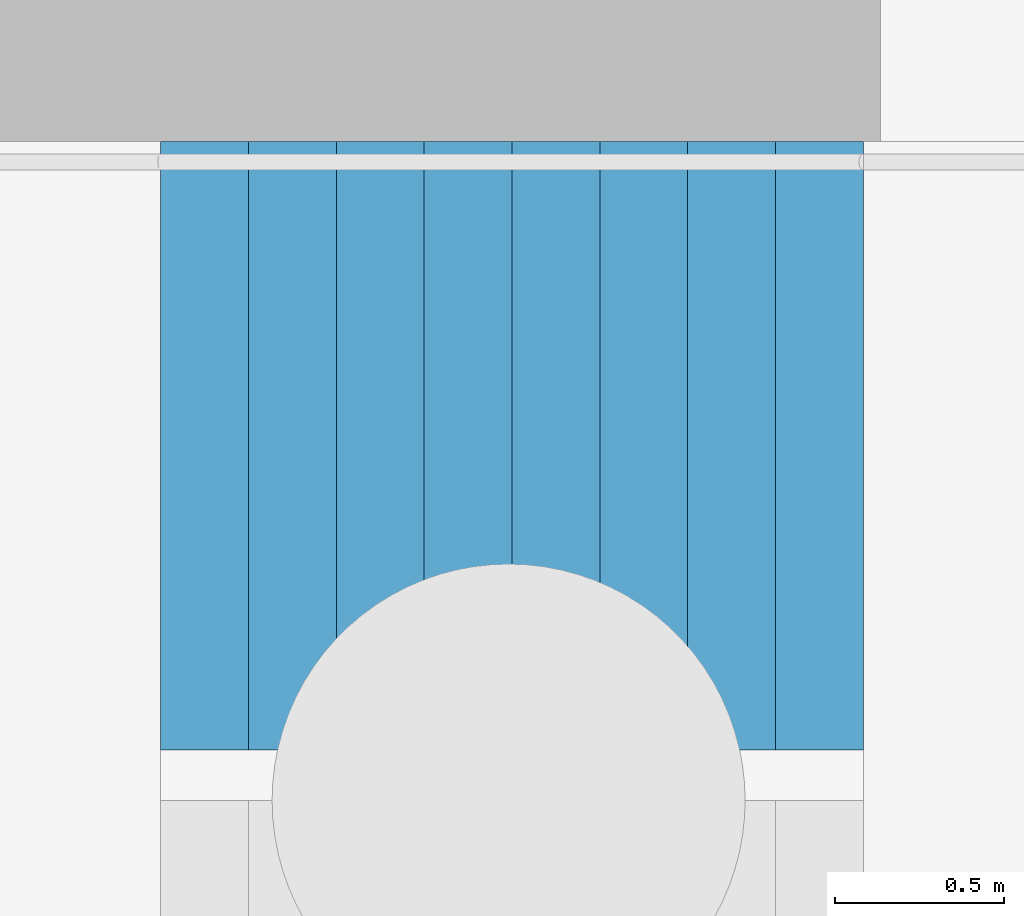
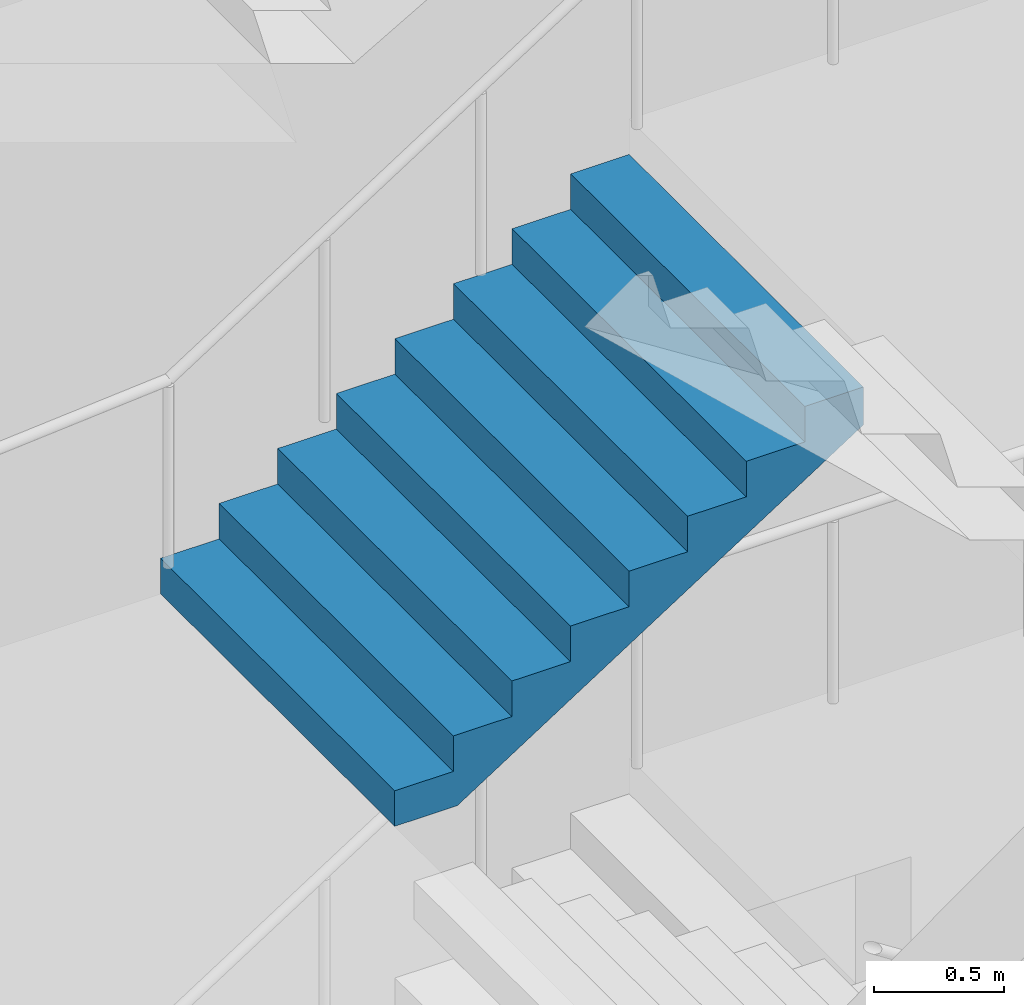
# One storey, part 82 of 113: 1 stair flight, 1 element without a shape of its own.
"""IFC4 building model written with IfcOpenShell, lengths in metres."""

import ifcopenshell
import ifcopenshell.guid

model = None  # the IFC model being written
_history = None  # IfcOwnerHistory: only IFC2X3 demands one
_inside = {}  # id of a spatial element -> (the spatial element, [elements in it])
_under = {}  # id of a project, library or spatial element -> (it, [spatial elements below it])
_declared = {}  # id of a project -> (the project, [libraries it declares])
_typed = {}  # id of a type object -> (the type object, [elements of that type])
_made_of = {}  # id of a material, layer set ... -> (it, [elements and type objects made of it])


def new_model(schema):
    """Start an empty IFC model of exactly this schema.

    Asked for "IFC4X3", IfcOpenShell would pick the latest addendum, in which some entities
    have other attributes; the version numbers below select the first issue.
    IFC2X3 requires an IfcOwnerHistory on every rooted entity: one is made here for all.
    """
    global model, _history
    if schema == "IFC4X3":
        model = ifcopenshell.file(schema_version=(4, 3, 0, 0))
    else:
        model = ifcopenshell.file(schema=schema)
    _inside.clear()
    _under.clear()
    _declared.clear()
    _typed.clear()
    _made_of.clear()
    _history = None
    if model.schema == "IFC2X3":
        org = make("IfcOrganization", Name="unknown")
        user = make(
            "IfcPersonAndOrganization",
            ThePerson=make("IfcPerson", FamilyName="unknown"),
            TheOrganization=org,
        )
        app = make(
            "IfcApplication",
            ApplicationDeveloper=org,
            Version="unknown",
            ApplicationFullName="unknown",
            ApplicationIdentifier="unknown",
        )
        _history = make(
            "IfcOwnerHistory",
            OwningUser=user,
            OwningApplication=app,
            ChangeAction="ADDED",
            CreationDate=0,
        )
    return model


def make(cls, **values):
    """One entity of the class cls with the attributes given. An attribute that is None is left unset."""
    return model.create_entity(
        cls, **{name: value for name, value in values.items() if value is not None}
    )


def rooted(cls, **values):
    """An entity with a GlobalId (a new one), such as an element, a storey or a relation."""
    return make(cls, GlobalId=ifcopenshell.guid.new(), OwnerHistory=_history, **values)


def si_unit(unit_type, name, prefix=None):
    """IfcSIUnit, for example si_unit("LENGTHUNIT", "METRE", prefix="MILLI")."""
    return make("IfcSIUnit", UnitType=unit_type, Prefix=prefix, Name=name)


def assignment(units):
    """IfcUnitAssignment: the units of a project."""
    return None if units is None else make("IfcUnitAssignment", Units=units)


def point(xyz):
    """IfcCartesianPoint."""
    return None if xyz is None else make("IfcCartesianPoint", Coordinates=xyz)


def direction(xyz):
    """IfcDirection."""
    return None if xyz is None else make("IfcDirection", DirectionRatios=xyz)


def frame(location, z_axis=None, x_axis=None):
    """IfcAxis2Placement3D, a coordinate frame: its origin and axes. An axis left out is left unset."""
    return make(
        "IfcAxis2Placement3D",
        Location=point(location),
        Axis=direction(z_axis),
        RefDirection=direction(x_axis),
    )


def origin():
    """The frame at (0, 0, 0) with its axes left unset."""
    return frame((0.0, 0.0, 0.0))


def place(relative_to, where):
    """IfcLocalPlacement: puts the frame where relative to a parent placement (None: the world)."""
    return make(
        "IfcLocalPlacement", PlacementRelTo=relative_to, RelativePlacement=where
    )


def context(
    kind, dimensions, precision=None, world=None, true_north=None, identifier=None
):
    """IfcGeometricRepresentationContext, for example the 3D "Model" context."""
    return make(
        "IfcGeometricRepresentationContext",
        ContextIdentifier=identifier,
        ContextType=kind,
        CoordinateSpaceDimension=dimensions,
        Precision=precision,
        WorldCoordinateSystem=world,
        TrueNorth=true_north,
    )


def subcontext(parent, identifier, kind, view, scale=None):
    """IfcGeometricRepresentationSubContext, for example "Body" below "Model"."""
    return make(
        "IfcGeometricRepresentationSubContext",
        ContextIdentifier=identifier,
        ContextType=kind,
        ParentContext=parent,
        TargetScale=scale,
        TargetView=view,
    )


def project(units=None, contexts=None):
    """IfcProject with its units and contexts."""
    return rooted(
        "IfcProject",
        Name="project",
        RepresentationContexts=contexts,
        UnitsInContext=assignment(units),
    )


def spatial(cls, under=None, at=None, **own):
    """A site, building, storey or space (cls), placed at a placement, below another one or the project."""
    s = rooted(cls, ObjectPlacement=at, **own)
    if under is not None:
        _under.setdefault(under.id(), (under, []))[1].append(s)
    return s


def point_list(points):
    """IfcCartesianPointList2D or 3D."""
    cls = (
        "IfcCartesianPointList2D" if len(points[0]) == 2 else "IfcCartesianPointList3D"
    )
    return make(cls, CoordList=points)


def triangles(points, corners, closed=None, point_numbers=None):
    """IfcTriangulatedFaceSet: each triangle names its three corners, points numbered from 1."""
    return make(
        "IfcTriangulatedFaceSet",
        Coordinates=point_list(points),
        Closed=closed,
        CoordIndex=corners,
        PnIndex=point_numbers,
    )


def shape(context_of_items, identifier, shape_type, items):
    """IfcShapeRepresentation: the items that make up one representation, for example the "Body"."""
    return make(
        "IfcShapeRepresentation",
        ContextOfItems=context_of_items,
        RepresentationIdentifier=identifier,
        RepresentationType=shape_type,
        Items=items,
    )


def material(Name=None, Category=None):
    """IfcMaterial."""
    return make("IfcMaterial", Name=Name, Category=Category)


def made_of(thing, what):
    """Note that an element or type object is made of a material, layer set ...; save() writes the relation."""
    if what is not None:
        _made_of.setdefault(what.id(), (what, []))[1].append(thing)
    return thing


def type_object(cls, material=None, **own):
    """A type object (cls), such as IfcWallType, which elements share."""
    return made_of(rooted(cls, **own), material)


def element(
    cls,
    number,
    at=None,
    inside=None,
    cuts=None,
    type_object=None,
    material=None,
    context=None,
    identifier="Body",
    shape_type=None,
    held_by="IfcProductDefinitionShape",
    body=None,
    shapes=None,
    **own,
):
    """One element of the class cls, such as IfcWall. Its Tag is "e" and its number.

    at: its placement. inside: the storey or other place that contains it. cuts: it is an
    opening in that element (IfcRelVoidsElement). A single representation is given by context,
    identifier, shape_type and body (its items); several are given by shapes. held_by: the class
    of the entity that holds the representations. save() writes the other relations.
    """
    e = rooted(cls, Tag="e%d" % number, ObjectPlacement=at, **own)
    if body is not None:
        shapes = [shape(context, identifier, shape_type, body)]
    if shapes is not None:
        e.Representation = make(held_by, Representations=shapes)
    if inside is not None:
        _inside.setdefault(inside.id(), (inside, []))[1].append(e)
    if cuts is not None:
        rooted(
            "IfcRelVoidsElement", RelatingBuildingElement=cuts, RelatedOpeningElement=e
        )
    if type_object is not None:
        _typed.setdefault(type_object.id(), (type_object, []))[1].append(e)
    return made_of(e, material)


def aggregate(whole, parts):
    """IfcRelAggregates: a whole, such as a stair, and the parts it consists of."""
    return rooted("IfcRelAggregates", RelatingObject=whole, RelatedObjects=parts)


def save(model, path):
    """Write the relations noted so far, then the file.

    IfcRelAggregates (storeys below a building ...), IfcRelContainedInSpatialStructure (elements
    in a storey), IfcRelDefinesByType, IfcRelAssociatesMaterial and IfcRelDeclares: one each for
    every whole, place, type object, material and project.
    """
    for whole, parts in _under.values():
        aggregate(whole, parts)
    for where, things in _inside.values():
        rooted(
            "IfcRelContainedInSpatialStructure",
            RelatedElements=things,
            RelatingStructure=where,
        )
    for kind, things in _typed.values():
        rooted("IfcRelDefinesByType", RelatedObjects=things, RelatingType=kind)
    for what, things in _made_of.values():
        rooted("IfcRelAssociatesMaterial", RelatedObjects=things, RelatingMaterial=what)
    for by, libraries in _declared.values():
        rooted("IfcRelDeclares", RelatingContext=by, RelatedDefinitions=libraries)
    model.write(path)


model = new_model("IFC4")

# Units and contexts
model_context = context("Model", 3, precision=1e-05, world=origin(), true_north=direction((0.0, 1.0)))
body_context = subcontext(model_context, "Body", "Model", "MODEL_VIEW")
ifc_project = project(units=[si_unit("LENGTHUNIT", "METRE"), si_unit("AREAUNIT", "SQUARE_METRE"), si_unit("VOLUMEUNIT", "CUBIC_METRE"), si_unit("PLANEANGLEUNIT", "RADIAN"), si_unit("MASSUNIT", "GRAM", prefix="KILO")], contexts=[model_context])

# Site, building, storey
site_placement = place(None, origin())
site = spatial("IfcSite", under=ifc_project, at=site_placement, CompositionType="ELEMENT")
building_placement = place(site_placement, origin())
building = spatial("IfcBuilding", under=site, at=building_placement, Name="Hakoniwa Tower and Hamabe Station Hall", CompositionType="ELEMENT")
storey_placement = place(building_placement, origin())
storey = spatial("IfcBuildingStorey", under=building, at=storey_placement, Name="L01", CompositionType="ELEMENT", Elevation=0.0)

# Stair, stair flight
ifc_material_1 = material(Name="Concrete C40", Category="concrete")
stair_type = type_object("IfcStairType", Name="ESCAPE STAIR 1800", PredefinedType="HALF_TURN_STAIR", material=ifc_material_1)
stair_placement = place(storey_placement, origin())
stair = element("IfcStair", 1, at=stair_placement, inside=storey, type_object=stair_type, Name="Escape stair ST-3 L01", PredefinedType="HALF_TURN_STAIR")
ifc_material_2 = material(Name="Concrete C40", Category="concrete")
stair_flight_type = type_object("IfcStairFlightType", Name="STAIR FLIGHT 1800", PredefinedType="STRAIGHT", material=ifc_material_2)
stair_flight_placement = place(storey_placement, frame((22.320068359375, 6.60009765625, 4.5), z_axis=(0.0, 0.0, 1.0), x_axis=(1.0, 0.0, 0.0)))
stair_flight = element("IfcStairFlight", 2, at=stair_flight_placement, type_object=stair_flight_type, Name="ST-3 flight 4", NumberOfRisers=9, NumberOfTreads=8, PredefinedType="STRAIGHT", RiserHeight=0.166666667, TreadLength=0.26, context=body_context, shape_type="Tessellation", body=[
    triangles([(0.0, 0.89990234375, 0.0), (0.260009765625, 0.89990234375, 0.0), (0.27783203125, 0.89990234375, 0.0), (0.52001953125, 0.89990234375, 0.1552734375), (0.780029296875, 0.89990234375, 0.322021484375), (1.0400390625, 0.89990234375, 0.488525390625), (1.300048828125, 0.89990234375, 0.6552734375), (1.56005859375, 0.89990234375, 0.822021484375), (1.820068359375, 0.89990234375, 0.988525390625), (2.080078125, 0.89990234375, 1.1552734375), (2.080078125, 0.89990234375, 1.333251953125), (1.820068359375, 0.89990234375, 1.333251953125), (1.820068359375, 0.89990234375, 1.166748046875), (1.56005859375, 0.89990234375, 1.166748046875), (1.56005859375, 0.89990234375, 1.0), (1.300048828125, 0.89990234375, 1.0), (1.300048828125, 0.89990234375, 0.833251953125), (1.0400390625, 0.89990234375, 0.833251953125), (1.0400390625, 0.89990234375, 0.666748046875), (0.780029296875, 0.89990234375, 0.666748046875), (0.780029296875, 0.89990234375, 0.5), (0.52001953125, 0.89990234375, 0.5), (0.52001953125, 0.89990234375, 0.333251953125), (0.27783203125, 0.89990234375, 0.333251953125), (0.260009765625, 0.89990234375, 0.333251953125), (0.260009765625, 0.89990234375, 0.166748046875), (0.0, 0.89990234375, 0.166748046875), (0.0, 0.06005859375, 0.0), (0.260009765625, 0.06005859375, 0.0), (0.27783203125, 0.06005859375, 0.0), (0.52001953125, 0.06005859375, 0.1552734375), (0.780029296875, 0.06005859375, 0.322021484375), (1.0400390625, 0.06005859375, 0.488525390625), (1.300048828125, 0.06005859375, 0.6552734375), (1.56005859375, 0.06005859375, 0.822021484375), (1.820068359375, 0.06005859375, 0.988525390625), (2.080078125, 0.06005859375, 1.1552734375), (2.080078125, 0.06005859375, 1.333251953125), (1.820068359375, 0.06005859375, 1.333251953125), (1.820068359375, 0.06005859375, 1.166748046875), (1.56005859375, 0.06005859375, 1.166748046875), (1.56005859375, 0.06005859375, 1.0), (1.300048828125, 0.06005859375, 1.0), (1.300048828125, 0.06005859375, 0.833251953125), (1.0400390625, 0.06005859375, 0.833251953125), (1.0400390625, 0.06005859375, 0.666748046875), (0.780029296875, 0.06005859375, 0.666748046875), (0.780029296875, 0.06005859375, 0.5), (0.52001953125, 0.06005859375, 0.5), (0.52001953125, 0.06005859375, 0.333251953125), (0.27783203125, 0.06005859375, 0.333251953125), (0.260009765625, 0.06005859375, 0.333251953125), (0.260009765625, 0.06005859375, 0.166748046875), (0.0, 0.06005859375, 0.166748046875), (0.0, 0.04296875, 0.0), (0.260009765625, 0.04296875, 0.0), (0.27783203125, 0.04296875, 0.0), (0.52001953125, 0.04296875, 0.1552734375), (0.780029296875, 0.04296875, 0.322021484375), (1.0400390625, 0.04296875, 0.488525390625), (1.300048828125, 0.04296875, 0.6552734375), (1.56005859375, 0.04296875, 0.822021484375), (1.820068359375, 0.04296875, 0.988525390625), (2.080078125, 0.04296875, 1.1552734375), (2.080078125, 0.04296875, 1.333251953125), (1.820068359375, 0.04296875, 1.333251953125), (1.820068359375, 0.04296875, 1.166748046875), (1.56005859375, 0.04296875, 1.166748046875), (1.56005859375, 0.04296875, 1.0), (1.300048828125, 0.04296875, 1.0), (1.300048828125, 0.04296875, 0.833251953125), (1.0400390625, 0.04296875, 0.833251953125), (1.0400390625, 0.04296875, 0.666748046875), (0.780029296875, 0.04296875, 0.666748046875), (0.780029296875, 0.04296875, 0.5), (0.52001953125, 0.04296875, 0.5), (0.52001953125, 0.04296875, 0.333251953125), (0.27783203125, 0.04296875, 0.333251953125), (0.260009765625, 0.04296875, 0.333251953125), (0.260009765625, 0.04296875, 0.166748046875), (0.0, 0.04296875, 0.166748046875), (0.0, 0.025634765625, 0.0), (0.260009765625, 0.025634765625, 0.0), (0.27783203125, 0.025634765625, 0.0), (0.52001953125, 0.025634765625, 0.1552734375), (0.780029296875, 0.025634765625, 0.322021484375), (1.0400390625, 0.025634765625, 0.488525390625), (1.300048828125, 0.025634765625, 0.6552734375), (1.56005859375, 0.025634765625, 0.822021484375), (1.820068359375, 0.025634765625, 0.988525390625), (2.080078125, 0.025634765625, 1.1552734375), (2.080078125, 0.025634765625, 1.333251953125), (1.820068359375, 0.025634765625, 1.333251953125), (1.820068359375, 0.025634765625, 1.166748046875), (1.56005859375, 0.025634765625, 1.166748046875), (1.56005859375, 0.025634765625, 1.0), (1.300048828125, 0.025634765625, 1.0), (1.300048828125, 0.025634765625, 0.833251953125), (1.0400390625, 0.025634765625, 0.833251953125), (1.0400390625, 0.025634765625, 0.666748046875), (0.780029296875, 0.025634765625, 0.666748046875), (0.780029296875, 0.025634765625, 0.5), (0.52001953125, 0.025634765625, 0.5), (0.52001953125, 0.025634765625, 0.333251953125), (0.27783203125, 0.025634765625, 0.333251953125), (0.260009765625, 0.025634765625, 0.333251953125), (0.260009765625, 0.025634765625, 0.166748046875), (0.0, 0.025634765625, 0.166748046875), (0.0, 0.008544921875, 0.0), (0.260009765625, 0.008544921875, 0.0), (0.27783203125, 0.008544921875, 0.0), (0.52001953125, 0.008544921875, 0.1552734375), (0.780029296875, 0.008544921875, 0.322021484375), (1.0400390625, 0.008544921875, 0.488525390625), (1.300048828125, 0.008544921875, 0.6552734375), (1.56005859375, 0.008544921875, 0.822021484375), (1.820068359375, 0.008544921875, 0.988525390625), (2.080078125, 0.008544921875, 1.1552734375), (2.080078125, 0.008544921875, 1.333251953125), (1.820068359375, 0.008544921875, 1.333251953125), (1.820068359375, 0.008544921875, 1.166748046875), (1.56005859375, 0.008544921875, 1.166748046875), (1.56005859375, 0.008544921875, 1.0), (1.300048828125, 0.008544921875, 1.0), (1.300048828125, 0.008544921875, 0.833251953125), (1.0400390625, 0.008544921875, 0.833251953125), (1.0400390625, 0.008544921875, 0.666748046875), (0.780029296875, 0.008544921875, 0.666748046875), (0.780029296875, 0.008544921875, 0.5), (0.52001953125, 0.008544921875, 0.5), (0.52001953125, 0.008544921875, 0.333251953125), (0.27783203125, 0.008544921875, 0.333251953125), (0.260009765625, 0.008544921875, 0.333251953125), (0.260009765625, 0.008544921875, 0.166748046875), (0.0, 0.008544921875, 0.166748046875), (0.0, -0.008544921875, 0.0), (0.260009765625, -0.008544921875, 0.0), (0.27783203125, -0.008544921875, 0.0), (0.52001953125, -0.008544921875, 0.1552734375), (0.780029296875, -0.008544921875, 0.322021484375), (1.0400390625, -0.008544921875, 0.488525390625), (1.300048828125, -0.008544921875, 0.6552734375), (1.56005859375, -0.008544921875, 0.822021484375), (1.820068359375, -0.008544921875, 0.988525390625), (2.080078125, -0.008544921875, 1.1552734375), (2.080078125, -0.008544921875, 1.333251953125), (1.820068359375, -0.008544921875, 1.333251953125), (1.820068359375, -0.008544921875, 1.166748046875), (1.56005859375, -0.008544921875, 1.166748046875), (1.56005859375, -0.008544921875, 1.0), (1.300048828125, -0.008544921875, 1.0), (1.300048828125, -0.008544921875, 0.833251953125), (1.0400390625, -0.008544921875, 0.833251953125), (1.0400390625, -0.008544921875, 0.666748046875), (0.780029296875, -0.008544921875, 0.666748046875), (0.780029296875, -0.008544921875, 0.5), (0.52001953125, -0.008544921875, 0.5), (0.52001953125, -0.008544921875, 0.333251953125), (0.27783203125, -0.008544921875, 0.333251953125), (0.260009765625, -0.008544921875, 0.333251953125), (0.260009765625, -0.008544921875, 0.166748046875), (0.0, -0.008544921875, 0.166748046875), (0.0, -0.025634765625, 0.0), (0.260009765625, -0.025634765625, 0.0), (0.27783203125, -0.025634765625, 0.0), (0.52001953125, -0.025634765625, 0.1552734375), (0.780029296875, -0.025634765625, 0.322021484375), (1.0400390625, -0.025634765625, 0.488525390625), (1.300048828125, -0.025634765625, 0.6552734375), (1.56005859375, -0.025634765625, 0.822021484375), (1.820068359375, -0.025634765625, 0.988525390625), (2.080078125, -0.025634765625, 1.1552734375), (2.080078125, -0.025634765625, 1.333251953125), (1.820068359375, -0.025634765625, 1.333251953125), (1.820068359375, -0.025634765625, 1.166748046875), (1.56005859375, -0.025634765625, 1.166748046875), (1.56005859375, -0.025634765625, 1.0), (1.300048828125, -0.025634765625, 1.0), (1.300048828125, -0.025634765625, 0.833251953125), (1.0400390625, -0.025634765625, 0.833251953125), (1.0400390625, -0.025634765625, 0.666748046875), (0.780029296875, -0.025634765625, 0.666748046875), (0.780029296875, -0.025634765625, 0.5), (0.52001953125, -0.025634765625, 0.5), (0.52001953125, -0.025634765625, 0.333251953125), (0.27783203125, -0.025634765625, 0.333251953125), (0.260009765625, -0.025634765625, 0.333251953125), (0.260009765625, -0.025634765625, 0.166748046875), (0.0, -0.025634765625, 0.166748046875), (0.0, -0.04296875, 0.0), (0.260009765625, -0.04296875, 0.0), (0.27783203125, -0.04296875, 0.0), (0.52001953125, -0.04296875, 0.1552734375), (0.780029296875, -0.04296875, 0.322021484375), (1.0400390625, -0.04296875, 0.488525390625), (1.300048828125, -0.04296875, 0.6552734375), (1.56005859375, -0.04296875, 0.822021484375), (1.820068359375, -0.04296875, 0.988525390625), (2.080078125, -0.04296875, 1.1552734375), (2.080078125, -0.04296875, 1.333251953125), (1.820068359375, -0.04296875, 1.333251953125), (1.820068359375, -0.04296875, 1.166748046875), (1.56005859375, -0.04296875, 1.166748046875), (1.56005859375, -0.04296875, 1.0), (1.300048828125, -0.04296875, 1.0), (1.300048828125, -0.04296875, 0.833251953125), (1.0400390625, -0.04296875, 0.833251953125), (1.0400390625, -0.04296875, 0.666748046875), (0.780029296875, -0.04296875, 0.666748046875), (0.780029296875, -0.04296875, 0.5), (0.52001953125, -0.04296875, 0.5), (0.52001953125, -0.04296875, 0.333251953125), (0.27783203125, -0.04296875, 0.333251953125), (0.260009765625, -0.04296875, 0.333251953125), (0.260009765625, -0.04296875, 0.166748046875), (0.0, -0.04296875, 0.166748046875), (0.0, -0.06005859375, 0.0), (0.260009765625, -0.06005859375, 0.0), (0.27783203125, -0.06005859375, 0.0), (0.52001953125, -0.06005859375, 0.1552734375), (0.780029296875, -0.06005859375, 0.322021484375), (1.0400390625, -0.06005859375, 0.488525390625), (1.300048828125, -0.06005859375, 0.6552734375), (1.56005859375, -0.06005859375, 0.822021484375), (1.820068359375, -0.06005859375, 0.988525390625), (2.080078125, -0.06005859375, 1.1552734375), (2.080078125, -0.06005859375, 1.333251953125), (1.820068359375, -0.06005859375, 1.333251953125), (1.820068359375, -0.06005859375, 1.166748046875), (1.56005859375, -0.06005859375, 1.166748046875), (1.56005859375, -0.06005859375, 1.0), (1.300048828125, -0.06005859375, 1.0), (1.300048828125, -0.06005859375, 0.833251953125), (1.0400390625, -0.06005859375, 0.833251953125), (1.0400390625, -0.06005859375, 0.666748046875), (0.780029296875, -0.06005859375, 0.666748046875), (0.780029296875, -0.06005859375, 0.5), (0.52001953125, -0.06005859375, 0.5), (0.52001953125, -0.06005859375, 0.333251953125), (0.27783203125, -0.06005859375, 0.333251953125), (0.260009765625, -0.06005859375, 0.333251953125), (0.260009765625, -0.06005859375, 0.166748046875), (0.0, -0.06005859375, 0.166748046875), (0.0, -0.89990234375, 0.0), (0.260009765625, -0.89990234375, 0.0), (0.27783203125, -0.89990234375, 0.0), (0.52001953125, -0.89990234375, 0.1552734375), (0.780029296875, -0.89990234375, 0.322021484375), (1.0400390625, -0.89990234375, 0.488525390625), (1.300048828125, -0.89990234375, 0.6552734375), (1.56005859375, -0.89990234375, 0.822021484375), (1.820068359375, -0.89990234375, 0.988525390625), (2.080078125, -0.89990234375, 1.1552734375), (2.080078125, -0.89990234375, 1.333251953125), (1.820068359375, -0.89990234375, 1.333251953125), (1.820068359375, -0.89990234375, 1.166748046875), (1.56005859375, -0.89990234375, 1.166748046875), (1.56005859375, -0.89990234375, 1.0), (1.300048828125, -0.89990234375, 1.0), (1.300048828125, -0.89990234375, 0.833251953125), (1.0400390625, -0.89990234375, 0.833251953125), (1.0400390625, -0.89990234375, 0.666748046875), (0.780029296875, -0.89990234375, 0.666748046875), (0.780029296875, -0.89990234375, 0.5), (0.52001953125, -0.89990234375, 0.5), (0.52001953125, -0.89990234375, 0.333251953125), (0.27783203125, -0.89990234375, 0.333251953125), (0.260009765625, -0.89990234375, 0.333251953125), (0.260009765625, -0.89990234375, 0.166748046875), (0.0, -0.89990234375, 0.166748046875)], [[2, 27, 26], [245, 269, 270], [2, 1, 27], [245, 270, 244], [3, 25, 24], [246, 267, 268], [3, 26, 25], [246, 268, 269], [3, 2, 26], [246, 269, 245], [4, 24, 23], [247, 266, 267], [4, 3, 24], [247, 267, 246], [5, 22, 21], [248, 264, 265], [5, 23, 22], [248, 265, 266], [5, 4, 23], [248, 266, 247], [6, 20, 19], [249, 262, 263], [6, 21, 20], [249, 263, 264], [6, 5, 21], [249, 264, 248], [7, 18, 17], [250, 260, 261], [7, 19, 18], [250, 261, 262], [7, 6, 19], [250, 262, 249], [8, 16, 15], [251, 258, 259], [8, 17, 16], [251, 259, 260], [8, 7, 17], [251, 260, 250], [9, 14, 13], [252, 256, 257], [9, 15, 14], [252, 257, 258], [9, 8, 15], [252, 258, 251], [10, 12, 11], [253, 254, 255], [10, 13, 12], [253, 255, 256], [10, 9, 13], [253, 256, 252], [1, 2, 29], [1, 29, 28], [28, 29, 56], [28, 56, 55], [55, 56, 83], [55, 83, 82], [82, 83, 110], [82, 110, 109], [109, 110, 137], [109, 137, 136], [136, 137, 164], [136, 164, 163], [163, 164, 191], [163, 191, 190], [190, 191, 218], [190, 218, 217], [217, 218, 245], [217, 245, 244], [2, 3, 30], [2, 30, 29], [29, 30, 57], [29, 57, 56], [56, 57, 84], [56, 84, 83], [83, 84, 111], [83, 111, 110], [110, 111, 138], [110, 138, 137], [137, 138, 165], [137, 165, 164], [164, 165, 192], [164, 192, 191], [191, 192, 219], [191, 219, 218], [218, 219, 246], [218, 246, 245], [3, 4, 31], [3, 31, 30], [30, 31, 58], [30, 58, 57], [57, 58, 85], [57, 85, 84], [84, 85, 112], [84, 112, 111], [111, 112, 139], [111, 139, 138], [138, 139, 166], [138, 166, 165], [165, 166, 193], [165, 193, 192], [192, 193, 220], [192, 220, 219], [219, 220, 247], [219, 247, 246], [4, 5, 32], [4, 32, 31], [31, 32, 59], [31, 59, 58], [58, 59, 86], [58, 86, 85], [85, 86, 113], [85, 113, 112], [112, 113, 140], [112, 140, 139], [139, 140, 167], [139, 167, 166], [166, 167, 194], [166, 194, 193], [193, 194, 221], [193, 221, 220], [220, 221, 248], [220, 248, 247], [5, 6, 33], [5, 33, 32], [32, 33, 60], [32, 60, 59], [59, 60, 87], [59, 87, 86], [86, 87, 114], [86, 114, 113], [113, 114, 141], [113, 141, 140], [140, 141, 168], [140, 168, 167], [167, 168, 195], [167, 195, 194], [194, 195, 222], [194, 222, 221], [221, 222, 249], [221, 249, 248], [6, 7, 34], [6, 34, 33], [33, 34, 61], [33, 61, 60], [60, 61, 88], [60, 88, 87], [87, 88, 115], [87, 115, 114], [114, 115, 142], [114, 142, 141], [141, 142, 169], [141, 169, 168], [168, 169, 196], [168, 196, 195], [195, 196, 223], [195, 223, 222], [222, 223, 250], [222, 250, 249], [7, 8, 35], [7, 35, 34], [34, 35, 62], [34, 62, 61], [61, 62, 89], [61, 89, 88], [88, 89, 116], [88, 116, 115], [115, 116, 143], [115, 143, 142], [142, 143, 170], [142, 170, 169], [169, 170, 197], [169, 197, 196], [196, 197, 224], [196, 224, 223], [223, 224, 251], [223, 251, 250], [8, 9, 36], [8, 36, 35], [35, 36, 63], [35, 63, 62], [62, 63, 90], [62, 90, 89], [89, 90, 117], [89, 117, 116], [116, 117, 144], [116, 144, 143], [143, 144, 171], [143, 171, 170], [170, 171, 198], [170, 198, 197], [197, 198, 225], [197, 225, 224], [224, 225, 252], [224, 252, 251], [9, 10, 37], [9, 37, 36], [36, 37, 64], [36, 64, 63], [63, 64, 91], [63, 91, 90], [90, 91, 118], [90, 118, 117], [117, 118, 145], [117, 145, 144], [144, 145, 172], [144, 172, 171], [171, 172, 199], [171, 199, 198], [198, 199, 226], [198, 226, 225], [225, 226, 253], [225, 253, 252], [10, 11, 38], [10, 38, 37], [37, 38, 65], [37, 65, 64], [64, 65, 92], [64, 92, 91], [91, 92, 119], [91, 119, 118], [118, 119, 146], [118, 146, 145], [145, 146, 173], [145, 173, 172], [172, 173, 200], [172, 200, 199], [199, 200, 227], [199, 227, 226], [226, 227, 254], [226, 254, 253], [11, 12, 39], [11, 39, 38], [38, 39, 66], [38, 66, 65], [65, 66, 93], [65, 93, 92], [92, 93, 120], [92, 120, 119], [119, 120, 147], [119, 147, 146], [146, 147, 174], [146, 174, 173], [173, 174, 201], [173, 201, 200], [200, 201, 228], [200, 228, 227], [227, 228, 255], [227, 255, 254], [12, 13, 40], [12, 40, 39], [39, 40, 67], [39, 67, 66], [66, 67, 94], [66, 94, 93], [93, 94, 121], [93, 121, 120], [120, 121, 148], [120, 148, 147], [147, 148, 175], [147, 175, 174], [174, 175, 202], [174, 202, 201], [201, 202, 229], [201, 229, 228], [228, 229, 256], [228, 256, 255], [13, 14, 41], [13, 41, 40], [40, 41, 68], [40, 68, 67], [67, 68, 95], [67, 95, 94], [94, 95, 122], [94, 122, 121], [121, 122, 149], [121, 149, 148], [148, 149, 176], [148, 176, 175], [175, 176, 203], [175, 203, 202], [202, 203, 230], [202, 230, 229], [229, 230, 257], [229, 257, 256], [14, 15, 42], [14, 42, 41], [41, 42, 69], [41, 69, 68], [68, 69, 96], [68, 96, 95], [95, 96, 123], [95, 123, 122], [122, 123, 150], [122, 150, 149], [149, 150, 177], [149, 177, 176], [176, 177, 204], [176, 204, 203], [203, 204, 231], [203, 231, 230], [230, 231, 258], [230, 258, 257], [15, 16, 43], [15, 43, 42], [42, 43, 70], [42, 70, 69], [69, 70, 97], [69, 97, 96], [96, 97, 124], [96, 124, 123], [123, 124, 151], [123, 151, 150], [150, 151, 178], [150, 178, 177], [177, 178, 205], [177, 205, 204], [204, 205, 232], [204, 232, 231], [231, 232, 259], [231, 259, 258], [16, 17, 44], [16, 44, 43], [43, 44, 71], [43, 71, 70], [70, 71, 98], [70, 98, 97], [97, 98, 125], [97, 125, 124], [124, 125, 152], [124, 152, 151], [151, 152, 179], [151, 179, 178], [178, 179, 206], [178, 206, 205], [205, 206, 233], [205, 233, 232], [232, 233, 260], [232, 260, 259], [17, 18, 45], [17, 45, 44], [44, 45, 72], [44, 72, 71], [71, 72, 99], [71, 99, 98], [98, 99, 126], [98, 126, 125], [125, 126, 153], [125, 153, 152], [152, 153, 180], [152, 180, 179], [179, 180, 207], [179, 207, 206], [206, 207, 234], [206, 234, 233], [233, 234, 261], [233, 261, 260], [18, 19, 46], [18, 46, 45], [45, 46, 73], [45, 73, 72], [72, 73, 100], [72, 100, 99], [99, 100, 127], [99, 127, 126], [126, 127, 154], [126, 154, 153], [153, 154, 181], [153, 181, 180], [180, 181, 208], [180, 208, 207], [207, 208, 235], [207, 235, 234], [234, 235, 262], [234, 262, 261], [19, 20, 47], [19, 47, 46], [46, 47, 74], [46, 74, 73], [73, 74, 101], [73, 101, 100], [100, 101, 128], [100, 128, 127], [127, 128, 155], [127, 155, 154], [154, 155, 182], [154, 182, 181], [181, 182, 209], [181, 209, 208], [208, 209, 236], [208, 236, 235], [235, 236, 263], [235, 263, 262], [20, 21, 48], [20, 48, 47], [47, 48, 75], [47, 75, 74], [74, 75, 102], [74, 102, 101], [101, 102, 129], [101, 129, 128], [128, 129, 156], [128, 156, 155], [155, 156, 183], [155, 183, 182], [182, 183, 210], [182, 210, 209], [209, 210, 237], [209, 237, 236], [236, 237, 264], [236, 264, 263], [21, 22, 49], [21, 49, 48], [48, 49, 76], [48, 76, 75], [75, 76, 103], [75, 103, 102], [102, 103, 130], [102, 130, 129], [129, 130, 157], [129, 157, 156], [156, 157, 184], [156, 184, 183], [183, 184, 211], [183, 211, 210], [210, 211, 238], [210, 238, 237], [237, 238, 265], [237, 265, 264], [22, 23, 50], [22, 50, 49], [49, 50, 77], [49, 77, 76], [76, 77, 104], [76, 104, 103], [103, 104, 131], [103, 131, 130], [130, 131, 158], [130, 158, 157], [157, 158, 185], [157, 185, 184], [184, 185, 212], [184, 212, 211], [211, 212, 239], [211, 239, 238], [238, 239, 266], [238, 266, 265], [23, 24, 51], [23, 51, 50], [50, 51, 78], [50, 78, 77], [77, 78, 105], [77, 105, 104], [104, 105, 132], [104, 132, 131], [131, 132, 159], [131, 159, 158], [158, 159, 186], [158, 186, 185], [185, 186, 213], [185, 213, 212], [212, 213, 240], [212, 240, 239], [239, 240, 267], [239, 267, 266], [24, 25, 52], [24, 52, 51], [51, 52, 79], [51, 79, 78], [78, 79, 106], [78, 106, 105], [105, 106, 133], [105, 133, 132], [132, 133, 160], [132, 160, 159], [159, 160, 187], [159, 187, 186], [186, 187, 214], [186, 214, 213], [213, 214, 241], [213, 241, 240], [240, 241, 268], [240, 268, 267], [25, 26, 53], [25, 53, 52], [52, 53, 80], [52, 80, 79], [79, 80, 107], [79, 107, 106], [106, 107, 134], [106, 134, 133], [133, 134, 161], [133, 161, 160], [160, 161, 188], [160, 188, 187], [187, 188, 215], [187, 215, 214], [214, 215, 242], [214, 242, 241], [241, 242, 269], [241, 269, 268], [26, 27, 54], [26, 54, 53], [53, 54, 81], [53, 81, 80], [80, 81, 108], [80, 108, 107], [107, 108, 135], [107, 135, 134], [134, 135, 162], [134, 162, 161], [161, 162, 189], [161, 189, 188], [188, 189, 216], [188, 216, 215], [215, 216, 243], [215, 243, 242], [242, 243, 270], [242, 270, 269], [27, 1, 28], [27, 28, 54], [54, 28, 55], [54, 55, 81], [81, 55, 82], [81, 82, 108], [108, 82, 109], [108, 109, 135], [135, 109, 136], [135, 136, 162], [162, 136, 163], [162, 163, 189], [189, 163, 190], [189, 190, 216], [216, 190, 217], [216, 217, 243], [243, 217, 244], [243, 244, 270]], closed=True),
])
aggregate(stair, [stair_flight])

save(model, "model.ifc")
